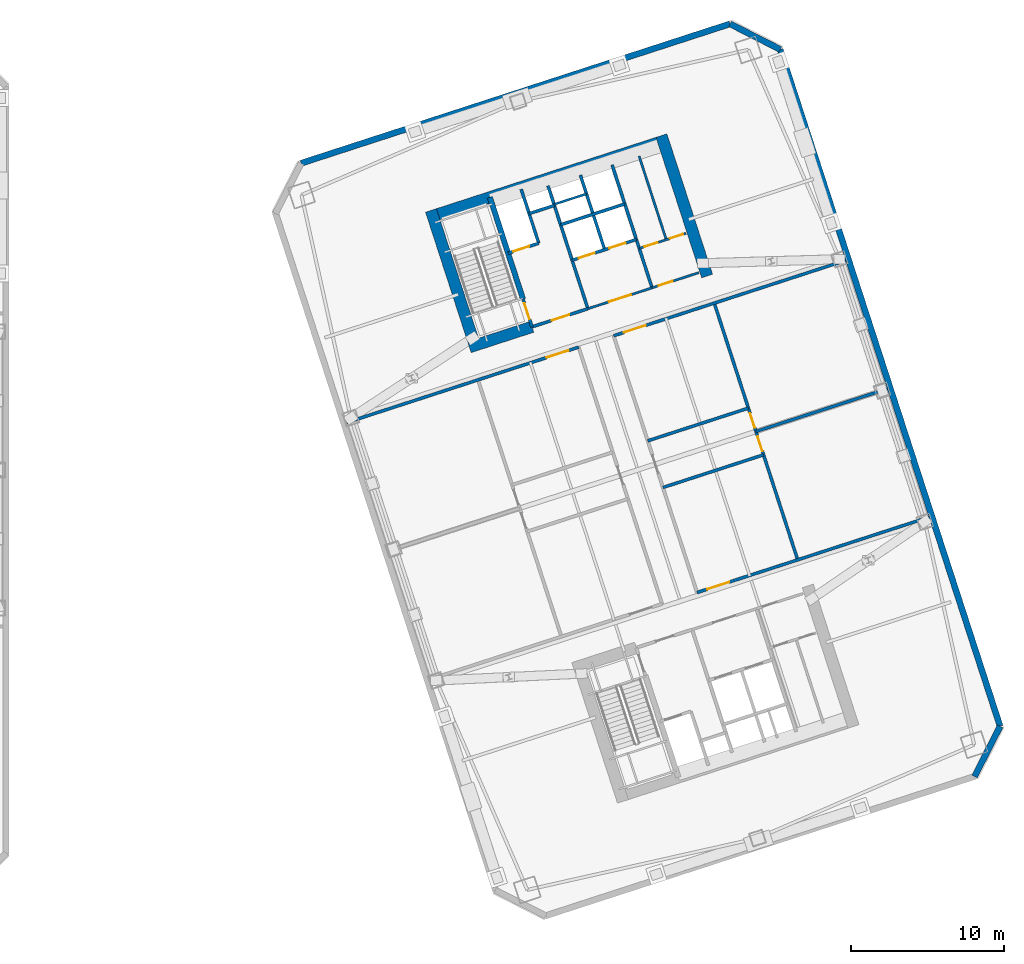
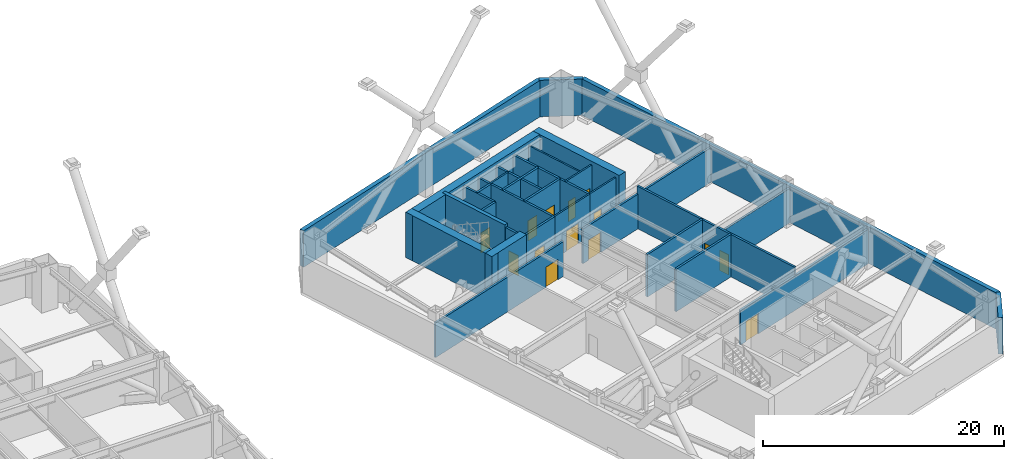
# One storey, part 16 of 19: 31 walls, 14 doors, 14 openings.
"""IFC4 building model written with IfcOpenShell, lengths in metres."""

from ifc_helpers import new_model, si_unit, direction, frame, frame_2d, origin, place, context, subcontext, project, spatial, rectangle, extrude, material, layer, layer_set, type_object, element, fill, save


model = new_model("IFC4")

# Units and contexts
model_context = context("Model", 3, precision=1e-05, world=origin(), true_north=direction((0.0, 1.0)))
body_context = subcontext(model_context, "Body", "Model", "MODEL_VIEW")
ifc_project = project(units=[si_unit("LENGTHUNIT", "METRE"), si_unit("AREAUNIT", "SQUARE_METRE"), si_unit("VOLUMEUNIT", "CUBIC_METRE"), si_unit("PLANEANGLEUNIT", "RADIAN"), si_unit("MASSUNIT", "GRAM", prefix="KILO")], contexts=[model_context])

# Site, building, storey
site_placement = place(None, origin())
site = spatial("IfcSite", under=ifc_project, at=site_placement, CompositionType="ELEMENT")
building_placement = place(site_placement, origin())
building = spatial("IfcBuilding", under=site, at=building_placement, Name="Qiaolan Cultural Towers", CompositionType="ELEMENT")
storey_placement = place(building_placement, frame((0.0, 0.0, 92.0)))
storey = spatial("IfcBuildingStorey", under=building, at=storey_placement, Name="L23", CompositionType="ELEMENT", Elevation=92.0)

# Walls
ifc_material_1 = material(Name="Concrete C50", Category="concrete")
ifc_layer_1 = layer(ifc_material_1, 0.35009765625)
ifc_layer_set_1 = layer_set([ifc_layer_1], Name="Concrete C50")
wall_type_1 = type_object("IfcWallType", Name="WL-CORE-350", PredefinedType="SHEAR", material=ifc_layer_set_1)
wall_1_placement = place(storey_placement, frame((82.513671875, 45.13134765625, 0.0), z_axis=(0.0, 0.0, 1.0), x_axis=(-0.308988790936, 0.951065679686, 0.0)))
element("IfcWall", 1, at=wall_1_placement, inside=storey, type_object=wall_type_1, Name="L23 T2-CN Stair Core Dividing Web", PredefinedType="SHEAR", context=body_context, shape_type="SweptSolid", body=[
    extrude(rectangle(XDim=6.97998046875, YDim=0.35009765625, at=frame_2d((3.489990234375, 0.0))), origin(), (0.0, 0.0, 1.0), 4.60009765625),
])
ifc_material_2 = material(Name="Concrete C60", Category="concrete")
ifc_layer_2 = layer(ifc_material_2, 0.75)
ifc_layer_set_2 = layer_set([ifc_layer_2], Name="Concrete C60")
wall_type_2 = type_object("IfcWallType", Name="WL-CORE-750", PredefinedType="SHEAR", material=ifc_layer_set_2)
wall_2_placement = place(storey_placement, frame((76.27197265625, 50.442626953125, 0.0), z_axis=(0.0, 0.0, 1.0), x_axis=(0.951056072937, 0.309018358888, 0.0)))
element("IfcWall", 2, at=wall_2_placement, inside=storey, type_object=wall_type_2, Name="L23 T2-CN Outer Core Shear Wall", PredefinedType="SHEAR", context=body_context, shape_type="SweptSolid", body=[
    extrude(rectangle(XDim=16.550048828125, YDim=0.75, at=frame_2d((8.27490234375, 0.0))), origin(), (0.0, 0.0, 1.0), 4.60009765625),
])
for number, where, z_axis, x_axis, name in (
    (3, (79.48876953125, 41.75634765625, 0.0), (0.0, 0.0, 1.0), (-0.309016134813, 0.951056795583, 0.0), "L23 T2-CN West Core Shear Wall"),
    (4, (94.515380859375, 46.638916015625, 0.0), (0.0, 0.0, 1.0), (-0.309016134813, 0.951056795583, 0.0), "L23 T2-CN East Core Shear Wall"),
):
    element("IfcWall", number, at=place(storey_placement, frame(where, z_axis=z_axis, x_axis=x_axis)), inside=storey, type_object=wall_type_2, Name=name, PredefinedType="SHEAR", context=body_context, shape_type="SweptSolid", body=[
        extrude(rectangle(XDim=9.630126953125, YDim=0.75, at=frame_2d((4.81494140625, 0.0))), origin(), (0.0, 0.0, 1.0), 4.60009765625),
    ])
wall_3_placement = place(storey_placement, frame((79.01611328125, 41.997314453125, 0.0), z_axis=(0.0, 0.0, 1.0), x_axis=(0.95106038264, 0.309005094736, 0.0)))
element("IfcWall", 5, at=wall_3_placement, inside=storey, type_object=wall_type_2, Name="L23 T2-CN Stair Front Shear Wall", PredefinedType="SHEAR", context=body_context, shape_type="SweptSolid", body=[
    extrude(rectangle(XDim=4.294921875, YDim=0.75, at=frame_2d((2.1474609375, 0.0))), origin(), (0.0, 0.0, 1.0), 4.60009765625),
])
ifc_material_3 = material(Name="Precast Concrete C50 Honed Stone Pier", Category="masonry")
ifc_layer_3 = layer(ifc_material_3, 0.39990234375)
ifc_layer_set_3 = layer_set([ifc_layer_3], Name="Precast Concrete C50 Honed Stone Pier")
wall_type_3 = type_object("IfcWallType", Name="WL-EXT-PIER-400", PredefinedType="SOLIDWALL", material=ifc_layer_set_3)
wall_4_placement = place(storey_placement, frame((68.046875, 53.99462890625, 0.0), z_axis=(0.0, 0.0, 1.0), x_axis=(0.95105505922, 0.309021478754, 0.0)))
element("IfcWall", 6, at=wall_4_placement, inside=storey, type_object=wall_type_3, Name="L23 East Tower Precast Pier Facade Wall F3", PredefinedType="SOLIDWALL", context=body_context, shape_type="SweptSolid", body=[
    extrude(rectangle(XDim=29.39990234375, YDim=0.39990234375, at=frame_2d((14.699951171875, 0.0))), origin(), (0.0, 0.0, 1.0), 3.699951171875),
])
wall_5_placement = place(storey_placement, frame((96.0078125, 63.079833984375, 0.0), z_axis=(0.0, 0.0, 1.0), x_axis=(0.891001999643, -0.45399937955, 0.0)))
element("IfcWall", 7, at=wall_5_placement, inside=storey, type_object=wall_type_3, Name="L23 East Tower Precast Pier Facade Wall F4", PredefinedType="SOLIDWALL", context=body_context, shape_type="SweptSolid", body=[
    extrude(rectangle(XDim=3.67724609375, YDim=0.39990234375, at=frame_2d((1.838623046875, 0.0))), origin(), (0.0, 0.0, 1.0), 3.699951171875),
])
wall_6_placement = place(storey_placement, frame((99.2841796875, 61.410400390625, 0.0), z_axis=(0.0, 0.0, 1.0), x_axis=(0.309017542002, -0.95105633836, 0.0)))
element("IfcWall", 8, at=wall_6_placement, inside=storey, type_object=wall_type_3, Name="L23 East Tower Precast Pier Facade Wall F5", PredefinedType="SOLIDWALL", context=body_context, shape_type="SweptSolid", body=[
    extrude(rectangle(XDim=46.39990234375, YDim=0.39990234375, at=frame_2d((23.199951171875, 0.0))), origin(), (0.0, 0.0, 1.0), 3.699951171875),
])
wall_7_placement = place(storey_placement, frame((113.62255859375, 17.281494140625, 0.0), z_axis=(0.0, 0.0, 1.0), x_axis=(-0.454026238093, -0.890988313685, 0.0)))
element("IfcWall", 9, at=wall_7_placement, inside=storey, type_object=wall_type_3, Name="L23 East Tower Precast Pier Facade Wall F6", PredefinedType="SOLIDWALL", context=body_context, shape_type="SweptSolid", body=[
    extrude(rectangle(XDim=3.677001953125, YDim=0.39990234375, at=frame_2d((1.83837890625, 0.0))), origin(), (0.0, 0.0, 1.0), 3.699951171875),
])

# Wall, opening, door
ifc_material_4 = material(Name="Concrete C35 Fire Wall", Category="concrete")
ifc_layer_4 = layer(ifc_material_4, 0.199951171875)
ifc_layer_set_4 = layer_set([ifc_layer_4], Name="Concrete C35 Fire Wall")
wall_type_4 = type_object("IfcWallType", Name="WL-FIRE-200", PredefinedType="PARTITIONING", material=ifc_layer_set_4)
wall_8_placement = place(storey_placement, frame((83.100830078125, 43.324462890625, 0.0), z_axis=(0.0, 0.0, 1.0), x_axis=(-0.309048298632, 0.951046344356, 0.0)))
wall_8 = element("IfcWall", 10, at=wall_8_placement, inside=storey, type_object=wall_type_4, Name="L23 T2-CN Smokeproof Stair Entry Wall", PredefinedType="PARTITIONING", context=body_context, shape_type="SweptSolid", body=[
    extrude(rectangle(XDim=1.89990234375, YDim=0.199951171875, at=frame_2d((0.949951171875, 0.0))), origin(), (0.0, 0.0, 1.0), 4.304931640625),
])
opening_1_placement = place(wall_8_placement, frame((0.52001953125, 0.0, 0.0)))
opening_1 = element("IfcOpeningElement", 11, at=opening_1_placement, cuts=wall_8, Name="Opening FD-04", PredefinedType="OPENING", context=body_context, shape_type="SweptSolid", body=[
    extrude(rectangle(XDim=1.10009765625, YDim=2.050048828125, at=frame_2d((0.550048828125, 1.02490234375))), frame((0.0, 0.10986328125, 0.0), z_axis=(0.0, -1.0, 0.0), x_axis=(1.0, 0.0, 0.0)), (0.0, 0.0, 1.0), 0.219970703125),
])
ifc_material_5 = material(Name="Galvanized Steel Command Fire Door", Category="steel")
door_type_1 = type_object("IfcDoorType", Name="DR-FD90-1100", OperationType="NOTDEFINED", PredefinedType="DOOR", material=ifc_material_5)
door_1_placement = place(opening_1_placement, origin())
door_1 = element("IfcDoor", 12, at=door_1_placement, inside=storey, type_object=door_type_1, Name="L23 ST-E2 Smokeproof Stair Fire Door", OperationType="SINGLE_SWING_LEFT", OverallHeight=2.050048828125, OverallWidth=1.10009765625, PredefinedType="DOOR", context=body_context, shape_type="SweptSolid", body=[
    extrude(rectangle(XDim=1.10009765625, YDim=2.050048828125, at=frame_2d((0.550048828125, 1.02490234375))), frame((0.0, 0.02490234375, 0.0), z_axis=(0.0, -1.0, 0.0), x_axis=(1.0, 0.0, 0.0)), (0.0, 0.0, 1.0), 0.050048828125),
])
fill(opening_1, door_1)

# Wall
wall_9_placement = place(storey_placement, frame((86.743408203125, 44.508056640625, 0.0), z_axis=(0.0, 0.0, 1.0), x_axis=(-0.309016001439, 0.951056838919, 0.0)))
element("IfcWall", 13, at=wall_9_placement, inside=storey, type_object=wall_type_4, Name="L23 T2-CN Firefighting Zone Wall", PredefinedType="PARTITIONING", context=body_context, shape_type="SweptSolid", body=[
    extrude(rectangle(XDim=8.429931640625, YDim=0.199951171875, at=frame_2d((4.21484375, 0.0))), origin(), (0.0, 0.0, 1.0), 4.304931640625),
])

# Wall, opening, door
wall_10_placement = place(storey_placement, frame((83.100830078125, 43.324462890625, 0.0), z_axis=(0.0, 0.0, 1.0), x_axis=(0.951052804469, 0.309028417967, 0.0)))
wall_10 = element("IfcWall", 14, at=wall_10_placement, inside=storey, type_object=wall_type_4, Name="L23 T2-CN Firefighting Lobby Front Wall", PredefinedType="PARTITIONING", context=body_context, shape_type="SweptSolid", body=[
    extrude(rectangle(XDim=3.830078125, YDim=0.199951171875, at=frame_2d((1.9150390625, 0.0))), origin(), (0.0, 0.0, 1.0), 4.304931640625),
])
opening_2_placement = place(wall_10_placement, frame((1.35009765625, 0.0, 0.0)))
opening_2 = element("IfcOpeningElement", 15, at=opening_2_placement, cuts=wall_10, Name="Opening FD-03", PredefinedType="OPENING", context=body_context, shape_type="SweptSolid", body=[
    extrude(rectangle(XDim=1.199951171875, YDim=2.050048828125, at=frame_2d((0.60009765625, 1.02490234375))), frame((0.0, 0.10986328125, 0.0), z_axis=(0.0, -1.0, 0.0), x_axis=(1.0, 0.0, 0.0)), (0.0, 0.0, 1.0), 0.219970703125),
])
ifc_material_6 = material(Name="Galvanized Steel Smokeproof Lobby Fire Door", Category="steel")
door_type_2 = type_object("IfcDoorType", Name="DR-FD90-1200", OperationType="NOTDEFINED", PredefinedType="DOOR", material=ifc_material_6)
door_2_placement = place(opening_2_placement, origin())
door_2 = element("IfcDoor", 16, at=door_2_placement, inside=storey, type_object=door_type_2, Name="L23 FFL-E2 Firefighting Lobby Fire Door", OperationType="SINGLE_SWING_LEFT", OverallHeight=2.050048828125, OverallWidth=1.199951171875, PredefinedType="DOOR", context=body_context, shape_type="SweptSolid", body=[
    extrude(rectangle(XDim=1.199951171875, YDim=2.050048828125, at=frame_2d((0.60009765625, 1.02490234375))), frame((0.0, 0.02490234375, 0.0), z_axis=(0.0, -1.0, 0.0), x_axis=(1.0, 0.0, 0.0)), (0.0, 0.0, 1.0), 0.050048828125),
])
fill(opening_2, door_2)

wall_11_placement = place(storey_placement, frame((81.540283203125, 48.127197265625, 0.0), z_axis=(0.0, 0.0, 1.0), x_axis=(0.951062257173, 0.308999325213, 0.0)))
wall_11 = element("IfcWall", 17, at=wall_11_placement, inside=storey, type_object=wall_type_4, Name="L23 T2-CN Firefighting Shaft Front Wall", PredefinedType="PARTITIONING", context=body_context, shape_type="SweptSolid", body=[
    extrude(rectangle(XDim=2.10009765625, YDim=0.199951171875, at=frame_2d((1.050048828125, 0.0))), origin(), (0.0, 0.0, 1.0), 4.304931640625),
])
opening_3_placement = place(wall_11_placement, frame((0.35009765625, 0.0, 0.0)))
opening_3 = element("IfcOpeningElement", 18, at=opening_3_placement, cuts=wall_11, Name="Opening LD-01", PredefinedType="OPENING", context=body_context, shape_type="SweptSolid", body=[
    extrude(rectangle(XDim=1.10009765625, YDim=2.050048828125, at=frame_2d((0.550048828125, 1.02490234375))), frame((0.0, 0.10986328125, 0.0), z_axis=(0.0, -1.0, 0.0), x_axis=(1.0, 0.0, 0.0)), (0.0, 0.0, 1.0), 0.219970703125),
])
ifc_material_7 = material(Name="Brushed Stainless Steel S30408 Centre-Parting Lift Landing Door", Category="steel")
door_type_3 = type_object("IfcDoorType", Name="DR-LIFT-1100", OperationType="NOTDEFINED", PredefinedType="DOOR", material=ifc_material_7)
door_3_placement = place(opening_3_placement, origin())
door_3 = element("IfcDoor", 19, at=door_3_placement, inside=storey, type_object=door_type_3, Name="L23 FFL-E2 Firefighting Lift Landing Door", OperationType="DOUBLE_DOOR_SLIDING", OverallHeight=2.050048828125, OverallWidth=1.10009765625, PredefinedType="DOOR", context=body_context, shape_type="SweptSolid", body=[
    extrude(rectangle(XDim=1.10009765625, YDim=2.050048828125, at=frame_2d((0.550048828125, 1.02490234375))), frame((0.0, 0.02490234375, 0.0), z_axis=(0.0, -1.0, 0.0), x_axis=(1.0, 0.0, 0.0)), (0.0, 0.0, 1.0), 0.050048828125),
])
fill(opening_3, door_3)

# Walls
wall_12_placement = place(storey_placement, frame((83.53759765625, 48.776123046875, 0.0), z_axis=(0.0, 0.0, 1.0), x_axis=(-0.3089935693, 0.951064127245, 0.0)))
element("IfcWall", 20, at=wall_12_placement, inside=storey, type_object=wall_type_4, Name="L23 T2-CN Firefighting Hoistway East Wall", PredefinedType="PARTITIONING", context=body_context, shape_type="SweptSolid", body=[
    extrude(rectangle(XDim=3.7001953125, YDim=0.199951171875, at=frame_2d((1.85009765625, 0.0))), origin(), (0.0, 0.0, 1.0), 4.304931640625),
])
wall_13_placement = place(storey_placement, frame((82.910400390625, 50.706787109375, 0.0), z_axis=(0.0, 0.0, 1.0), x_axis=(0.951041328149, 0.309063734775, 0.0)))
element("IfcWall", 21, at=wall_13_placement, inside=storey, type_object=wall_type_4, Name="L23 T2-CN Pressurization Shaft Front Wall", PredefinedType="PARTITIONING", context=body_context, shape_type="SweptSolid", body=[
    extrude(rectangle(XDim=1.72998046875, YDim=0.199951171875, at=frame_2d((0.864990234375, 0.0))), origin(), (0.0, 0.0, 1.0), 4.304931640625),
])
wall_14_placement = place(storey_placement, frame((90.92822265625, 45.86767578125, 0.0), z_axis=(0.0, 0.0, 1.0), x_axis=(-0.309042196757, 0.951048327176, 0.0)))
element("IfcWall", 22, at=wall_14_placement, inside=storey, type_object=wall_type_4, Name="L23 T2-CN Lift Core East Wall", PredefinedType="PARTITIONING", context=body_context, shape_type="SweptSolid", body=[
    extrude(rectangle(XDim=8.429931640625, YDim=0.199951171875, at=frame_2d((4.21484375, 0.0))), origin(), (0.0, 0.0, 1.0), 4.304931640625),
])

# Wall, openings, doors
wall_15_placement = place(storey_placement, frame((85.717529296875, 47.66552734375, 0.0), z_axis=(0.0, 0.0, 1.0), x_axis=(0.951058531764, 0.30901079133, 0.0)))
wall_15 = element("IfcWall", 23, at=wall_15_placement, inside=storey, type_object=wall_type_4, Name="L23 T2-CN Passenger Lift Shaft Front Wall", PredefinedType="PARTITIONING", context=body_context, shape_type="SweptSolid", body=[
    extrude(rectangle(XDim=4.39990234375, YDim=0.199951171875, at=frame_2d((2.199951171875, 0.0))), origin(), (0.0, 0.0, 1.0), 4.304931640625),
])
opening_4_placement = place(wall_15_placement, frame((0.449951171875, 0.0, 0.0)))
opening_4 = element("IfcOpeningElement", 24, at=opening_4_placement, cuts=wall_15, Name="Opening LD-01", PredefinedType="OPENING", context=body_context, shape_type="SweptSolid", body=[
    extrude(rectangle(XDim=1.10009765625, YDim=2.050048828125, at=frame_2d((0.550048828125, 1.02490234375))), frame((0.0, 0.10986328125, 0.0), z_axis=(0.0, -1.0, 0.0), x_axis=(1.0, 0.0, 0.0)), (0.0, 0.0, 1.0), 0.219970703125),
])
opening_5_placement = place(wall_15_placement, frame((2.550048828125, 0.0, 0.0)))
opening_5 = element("IfcOpeningElement", 25, at=opening_5_placement, cuts=wall_15, Name="Opening LD-01", PredefinedType="OPENING", context=body_context, shape_type="SweptSolid", body=[
    extrude(rectangle(XDim=1.10009765625, YDim=2.050048828125, at=frame_2d((0.550048828125, 1.02490234375))), frame((0.0, 0.10986328125, 0.0), z_axis=(0.0, -1.0, 0.0), x_axis=(1.0, 0.0, 0.0)), (0.0, 0.0, 1.0), 0.219970703125),
])
door_4_placement = place(opening_4_placement, origin())
door_4 = element("IfcDoor", 26, at=door_4_placement, inside=storey, type_object=door_type_3, Name="L23 Passenger Lift 1 Landing Door", OperationType="DOUBLE_DOOR_SLIDING", OverallHeight=2.050048828125, OverallWidth=1.10009765625, PredefinedType="DOOR", context=body_context, shape_type="SweptSolid", body=[
    extrude(rectangle(XDim=1.10009765625, YDim=2.050048828125, at=frame_2d((0.550048828125, 1.02490234375))), frame((0.0, 0.02490234375, 0.0), z_axis=(0.0, -1.0, 0.0), x_axis=(1.0, 0.0, 0.0)), (0.0, 0.0, 1.0), 0.050048828125),
])
fill(opening_4, door_4)
door_5_placement = place(opening_5_placement, origin())
door_5 = element("IfcDoor", 27, at=door_5_placement, inside=storey, type_object=door_type_3, Name="L23 Passenger Lift 2 Landing Door", OperationType="DOUBLE_DOOR_SLIDING", OverallHeight=2.050048828125, OverallWidth=1.10009765625, PredefinedType="DOOR", context=body_context, shape_type="SweptSolid", body=[
    extrude(rectangle(XDim=1.10009765625, YDim=2.050048828125, at=frame_2d((0.550048828125, 1.02490234375))), frame((0.0, 0.02490234375, 0.0), z_axis=(0.0, -1.0, 0.0), x_axis=(1.0, 0.0, 0.0)), (0.0, 0.0, 1.0), 0.050048828125),
])
fill(opening_5, door_5)

# Walls
wall_16_placement = place(storey_placement, frame((87.83837890625, 48.3544921875, 0.0), z_axis=(0.0, 0.0, 1.0), x_axis=(-0.3090093719, 0.951058992953, 0.0)))
element("IfcWall", 28, at=wall_16_placement, inside=storey, type_object=wall_type_4, Name="L23 T2-CN Lift Shaft Divider Wall", PredefinedType="PARTITIONING", context=body_context, shape_type="SweptSolid", body=[
    extrude(rectangle(XDim=5.110107421875, YDim=0.199951171875, at=frame_2d((2.55517578125, 0.0))), origin(), (0.0, 0.0, 1.0), 4.304931640625),
])
wall_17_placement = place(storey_placement, frame((84.966552734375, 49.9765625, 0.0), z_axis=(0.0, 0.0, 1.0), x_axis=(0.951063829732, 0.308994485023, 0.0)))
element("IfcWall", 29, at=wall_17_placement, inside=storey, type_object=wall_type_4, Name="L23 T2-CN Passenger Lift Shaft Back Wall", PredefinedType="PARTITIONING", context=body_context, shape_type="SweptSolid", body=[
    extrude(rectangle(XDim=4.400146484375, YDim=0.199951171875, at=frame_2d((2.2001953125, 0.0))), origin(), (0.0, 0.0, 1.0), 4.304931640625),
])

# Wall, opening, door
wall_18_placement = place(storey_placement, frame((93.860595703125, 26.00146484375, 0.0), z_axis=(0.0, 0.0, 1.0), x_axis=(0.951057423626, 0.309014201884, 0.0)))
wall_18 = element("IfcWall", 30, at=wall_18_placement, inside=storey, type_object=wall_type_4, Name="L23 T2 Fire Rated Plant/Refuge Wall SBE", PredefinedType="PARTITIONING", context=body_context, shape_type="SweptSolid", body=[
    extrude(rectangle(XDim=15.89990234375, YDim=0.199951171875, at=frame_2d((7.949951171875, 0.0))), origin(), (0.0, 0.0, 1.0), 3.514892578125),
])
opening_6_placement = place(wall_18_placement, frame((0.699951171875, 0.0, 0.0)))
opening_6 = element("IfcOpeningElement", 31, at=opening_6_placement, cuts=wall_18, Name="Opening FD-02", PredefinedType="OPENING", context=body_context, shape_type="SweptSolid", body=[
    extrude(rectangle(XDim=1.5, YDim=2.050048828125, at=frame_2d((0.75, 1.02490234375))), frame((0.0, 0.10986328125, 0.0), z_axis=(0.0, -1.0, 0.0), x_axis=(1.0, 0.0, 0.0)), (0.0, 0.0, 1.0), 0.219970703125),
])
ifc_material_8 = material(Name="Galvanized Steel Double Fire Door", Category="steel")
door_type_4 = type_object("IfcDoorType", Name="DR-FD90-1500", OperationType="NOTDEFINED", PredefinedType="DOOR", material=ifc_material_8)
door_6_placement = place(opening_6_placement, origin())
door_6 = element("IfcDoor", 32, at=door_6_placement, inside=storey, type_object=door_type_4, Name="L23 T2 East South Refuge Fire Door", OperationType="SINGLE_SWING_RIGHT", OverallHeight=2.050048828125, OverallWidth=1.5, PredefinedType="DOOR", context=body_context, shape_type="SweptSolid", body=[
    extrude(rectangle(XDim=1.5, YDim=2.050048828125, at=frame_2d((0.75, 1.02490234375))), frame((0.0, 0.02490234375, 0.0), z_axis=(0.0, -1.0, 0.0), x_axis=(1.0, 0.0, 0.0)), (0.0, 0.0, 1.0), 0.050048828125),
])
fill(opening_6, door_6)

wall_19_placement = place(storey_placement, frame((71.017578125, 37.085205078125, 0.0), z_axis=(0.0, 0.0, 1.0), x_axis=(0.951057423626, 0.309014201884, 0.0)))
wall_19 = element("IfcWall", 33, at=wall_19_placement, inside=storey, type_object=wall_type_4, Name="L23 T2 Fire Rated Plant/Refuge Wall NBW", PredefinedType="PARTITIONING", context=body_context, shape_type="SweptSolid", body=[
    extrude(rectangle(XDim=15.89990234375, YDim=0.199951171875, at=frame_2d((7.949951171875, 0.0))), origin(), (0.0, 0.0, 1.0), 3.514892578125),
])
opening_7_placement = place(wall_19_placement, frame((13.699951171875, 0.0, 0.0)))
opening_7 = element("IfcOpeningElement", 34, at=opening_7_placement, cuts=wall_19, Name="Opening FD-02", PredefinedType="OPENING", context=body_context, shape_type="SweptSolid", body=[
    extrude(rectangle(XDim=1.5, YDim=2.050048828125, at=frame_2d((0.75, 1.02490234375))), frame((0.0, 0.10986328125, 0.0), z_axis=(0.0, -1.0, 0.0), x_axis=(1.0, 0.0, 0.0)), (0.0, 0.0, 1.0), 0.219970703125),
])
door_7_placement = place(opening_7_placement, origin())
door_7 = element("IfcDoor", 35, at=door_7_placement, inside=storey, type_object=door_type_4, Name="L23 T2 West North Refuge Fire Door", OperationType="SINGLE_SWING_LEFT", OverallHeight=2.050048828125, OverallWidth=1.5, PredefinedType="DOOR", context=body_context, shape_type="SweptSolid", body=[
    extrude(rectangle(XDim=1.5, YDim=2.050048828125, at=frame_2d((0.75, 1.02490234375))), frame((0.0, 0.02490234375, 0.0), z_axis=(0.0, -1.0, 0.0), x_axis=(1.0, 0.0, 0.0)), (0.0, 0.0, 1.0), 0.050048828125),
])
fill(opening_7, door_7)

wall_20_placement = place(storey_placement, frame((88.421875, 42.740234375, 0.0), z_axis=(0.0, 0.0, 1.0), x_axis=(0.951057423626, 0.309014201884, 0.0)))
wall_20 = element("IfcWall", 36, at=wall_20_placement, inside=storey, type_object=wall_type_4, Name="L23 T2 Fire Rated Plant/Refuge Wall NBE", PredefinedType="PARTITIONING", context=body_context, shape_type="SweptSolid", body=[
    extrude(rectangle(XDim=15.89990234375, YDim=0.199951171875, at=frame_2d((7.949951171875, 0.0))), origin(), (0.0, 0.0, 1.0), 3.514892578125),
])
opening_8_placement = place(wall_20_placement, frame((0.699951171875, 0.0, 0.0)))
opening_8 = element("IfcOpeningElement", 37, at=opening_8_placement, cuts=wall_20, Name="Opening FD-02", PredefinedType="OPENING", context=body_context, shape_type="SweptSolid", body=[
    extrude(rectangle(XDim=1.5, YDim=2.050048828125, at=frame_2d((0.75, 1.02490234375))), frame((0.0, 0.10986328125, 0.0), z_axis=(0.0, -1.0, 0.0), x_axis=(1.0, 0.0, 0.0)), (0.0, 0.0, 1.0), 0.219970703125),
])
door_8_placement = place(opening_8_placement, origin())
door_8 = element("IfcDoor", 38, at=door_8_placement, inside=storey, type_object=door_type_4, Name="L23 T2 East North Refuge Fire Door", OperationType="SINGLE_SWING_RIGHT", OverallHeight=2.050048828125, OverallWidth=1.5, PredefinedType="DOOR", context=body_context, shape_type="SweptSolid", body=[
    extrude(rectangle(XDim=1.5, YDim=2.050048828125, at=frame_2d((0.75, 1.02490234375))), frame((0.0, 0.02490234375, 0.0), z_axis=(0.0, -1.0, 0.0), x_axis=(1.0, 0.0, 0.0)), (0.0, 0.0, 1.0), 0.050048828125),
])
fill(opening_8, door_8)

# Wall, openings, doors
wall_21_placement = place(storey_placement, frame((100.4228515625, 28.1337890625, 0.0), z_axis=(0.0, 0.0, 1.0), x_axis=(-0.309019261708, 0.951055779591, 0.0)))
wall_21 = element("IfcWall", 39, at=wall_21_placement, inside=storey, type_object=wall_type_4, Name="L23 T2 Fire Rated Plant/Refuge Wall ER", PredefinedType="PARTITIONING", context=body_context, shape_type="SweptSolid", body=[
    extrude(rectangle(XDim=17.599853515625, YDim=0.199951171875, at=frame_2d((8.7998046875, 0.0))), origin(), (0.0, 0.0, 1.0), 4.304931640625),
])
opening_9_placement = place(wall_21_placement, frame((7.449951171875, 0.0, 0.0)))
opening_9 = element("IfcOpeningElement", 40, at=opening_9_placement, cuts=wall_21, Name="Opening FD-07", PredefinedType="OPENING", context=body_context, shape_type="SweptSolid", body=[
    extrude(rectangle(XDim=1.0, YDim=2.050048828125, at=frame_2d((0.5, 1.02490234375))), frame((0.0, 0.10986328125, 0.0), z_axis=(0.0, -1.0, 0.0), x_axis=(1.0, 0.0, 0.0)), (0.0, 0.0, 1.0), 0.219970703125),
])
opening_10_placement = place(wall_21_placement, frame((9.050048828125, 0.0, 0.0)))
opening_10 = element("IfcOpeningElement", 41, at=opening_10_placement, cuts=wall_21, Name="Opening FD-07", PredefinedType="OPENING", context=body_context, shape_type="SweptSolid", body=[
    extrude(rectangle(XDim=1.0, YDim=2.050048828125, at=frame_2d((0.5, 1.02490234375))), frame((0.0, 0.10986328125, 0.0), z_axis=(0.0, -1.0, 0.0), x_axis=(1.0, 0.0, 0.0)), (0.0, 0.0, 1.0), 0.219970703125),
])
ifc_material_9 = material(Name="Painted Steel Riser Fire Door", Category="steel")
door_type_5 = type_object("IfcDoorType", Name="DR-FD60-1000", OperationType="NOTDEFINED", PredefinedType="DOOR", material=ifc_material_9)
door_9_placement = place(opening_9_placement, origin())
door_9 = element("IfcDoor", 42, at=door_9_placement, inside=storey, type_object=door_type_5, Name="L23 T2 East AHU Plant Door", OperationType="SINGLE_SWING_LEFT", OverallHeight=2.050048828125, OverallWidth=1.0, PredefinedType="DOOR", context=body_context, shape_type="SweptSolid", body=[
    extrude(rectangle(XDim=1.0, YDim=2.050048828125, at=frame_2d((0.5, 1.02490234375))), frame((0.0, 0.02490234375, 0.0), z_axis=(0.0, -1.0, 0.0), x_axis=(1.0, 0.0, 0.0)), (0.0, 0.0, 1.0), 0.050048828125),
])
fill(opening_9, door_9)
door_10_placement = place(opening_10_placement, origin())
door_10 = element("IfcDoor", 43, at=door_10_placement, inside=storey, type_object=door_type_5, Name="L23 T2 East Electrical Substation Door", OperationType="SINGLE_SWING_RIGHT", OverallHeight=2.050048828125, OverallWidth=1.0, PredefinedType="DOOR", context=body_context, shape_type="SweptSolid", body=[
    extrude(rectangle(XDim=1.0, YDim=2.050048828125, at=frame_2d((0.5, 1.02490234375))), frame((0.0, 0.02490234375, 0.0), z_axis=(0.0, -1.0, 0.0), x_axis=(1.0, 0.0, 0.0)), (0.0, 0.0, 1.0), 0.050048828125),
])
fill(opening_10, door_10)

# Walls
wall_22_placement = place(storey_placement, frame((97.70361328125, 36.5029296875, 0.0), z_axis=(0.0, 0.0, 1.0), x_axis=(0.951054001411, 0.309024734286, 0.0)))
element("IfcWall", 44, at=wall_22_placement, inside=storey, type_object=wall_type_4, Name="L23 T2 Fire Rated Plant/Refuge Wall EMID", PredefinedType="PARTITIONING", context=body_context, shape_type="SweptSolid", body=[
    extrude(rectangle(XDim=9.0, YDim=0.199951171875, at=frame_2d((4.5, 0.0))), origin(), (0.0, 0.0, 1.0), 3.514892578125),
])
wall_23_placement = place(storey_placement, frame((91.6357421875, 32.84912109375, 0.0), z_axis=(0.0, 0.0, 1.0), x_axis=(0.951051488548, 0.309032467762, 0.0)))
element("IfcWall", 45, at=wall_23_placement, inside=storey, type_object=wall_type_4, Name="L23 T2 Fire Rated Plant/Refuge Wall SVS-WR", PredefinedType="PARTITIONING", context=body_context, shape_type="SweptSolid", body=[
    extrude(rectangle(XDim=6.89990234375, YDim=0.199951171875, at=frame_2d((3.449951171875, 0.0))), origin(), (0.0, 0.0, 1.0), 4.304931640625),
])
wall_24_placement = place(storey_placement, frame((90.646728515625, 35.892578125, 0.0), z_axis=(0.0, 0.0, 1.0), x_axis=(0.951065265554, 0.308990065628, 0.0)))
element("IfcWall", 46, at=wall_24_placement, inside=storey, type_object=wall_type_4, Name="L23 T2 Fire Rated Plant/Refuge Wall SVS-NR", PredefinedType="PARTITIONING", context=body_context, shape_type="SweptSolid", body=[
    extrude(rectangle(XDim=6.900146484375, YDim=0.199951171875, at=frame_2d((3.4501953125, 0.0))), origin(), (0.0, 0.0, 1.0), 4.304931640625),
])

# Wall, opening, door
ifc_material_10 = material(Name="Autoclaved Aerated Concrete Block B06", Category="concrete")
ifc_layer_5 = layer(ifc_material_10, 0.14990234375)
ifc_layer_set_5 = layer_set([ifc_layer_5], Name="Autoclaved Aerated Concrete Block B06")
wall_type_5 = type_object("IfcWallType", Name="WL-PART-150", PredefinedType="PARTITIONING", material=ifc_layer_set_5)
wall_25_placement = place(storey_placement, frame((86.743408203125, 44.508056640625, 0.0), z_axis=(0.0, 0.0, 1.0), x_axis=(0.951063829732, 0.308994485023, 0.0)))
wall_25 = element("IfcWall", 47, at=wall_25_placement, inside=storey, type_object=wall_type_5, Name="L23 T2-CN Passenger Lift Lobby Front Wall", PredefinedType="PARTITIONING", context=body_context, shape_type="SweptSolid", body=[
    extrude(rectangle(XDim=4.400146484375, YDim=0.14990234375, at=frame_2d((2.2001953125, 0.0))), origin(), (0.0, 0.0, 1.0), 4.304931640625),
])
opening_11_placement = place(wall_25_placement, frame((1.449951171875, 0.0, 0.0)))
opening_11 = element("IfcOpeningElement", 48, at=opening_11_placement, cuts=wall_25, Name="Opening FD-05", PredefinedType="OPENING", context=body_context, shape_type="SweptSolid", body=[
    extrude(rectangle(XDim=1.5, YDim=2.050048828125, at=frame_2d((0.75, 1.02490234375))), frame((0.0, 0.0849609375, 0.0), z_axis=(0.0, -1.0, 0.0), x_axis=(1.0, 0.0, 0.0)), (0.0, 0.0, 1.0), 0.169921875),
])
ifc_material_11 = material(Name="Painted Steel Lift Lobby Fire Door", Category="steel")
door_type_6 = type_object("IfcDoorType", Name="DR-FD60-1500", OperationType="NOTDEFINED", PredefinedType="DOOR", material=ifc_material_11)
door_11_placement = place(opening_11_placement, origin())
door_11 = element("IfcDoor", 49, at=door_11_placement, inside=storey, type_object=door_type_6, Name="L23 Passenger Lift Lobby Entrance", OperationType="SINGLE_SWING_LEFT", OverallHeight=2.050048828125, OverallWidth=1.5, PredefinedType="DOOR", context=body_context, shape_type="SweptSolid", body=[
    extrude(rectangle(XDim=1.5, YDim=2.050048828125, at=frame_2d((0.75, 1.02490234375))), frame((0.0, 0.02490234375, 0.0), z_axis=(0.0, -1.0, 0.0), x_axis=(1.0, 0.0, 0.0)), (0.0, 0.0, 1.0), 0.050048828125),
])
fill(opening_11, door_11)

# Wall
wall_26_placement = place(storey_placement, frame((84.533935546875, 51.30810546875, 0.0), z_axis=(0.0, 0.0, 1.0), x_axis=(0.951075093106, 0.308959814982, 0.0)))
element("IfcWall", 50, at=wall_26_placement, inside=storey, type_object=wall_type_5, Name="L23 T2-CN Core Rear Riser Split", PredefinedType="PARTITIONING", context=body_context, shape_type="SweptSolid", body=[
    extrude(rectangle(XDim=2.22998046875, YDim=0.14990234375, at=frame_2d((1.114990234375, 0.0))), origin(), (0.0, 0.0, 1.0), 4.304931640625),
])

# Wall, opening, door
wall_27_placement = place(storey_placement, frame((90.92822265625, 45.86767578125, 0.0), z_axis=(0.0, 0.0, 1.0), x_axis=(0.951059297078, 0.309008435874, 0.0)))
wall_27 = element("IfcWall", 51, at=wall_27_placement, inside=storey, type_object=wall_type_5, Name="L23 T2-CN Sanitary Core Front Wall", PredefinedType="PARTITIONING", context=body_context, shape_type="SweptSolid", body=[
    extrude(rectangle(XDim=3.19970703125, YDim=0.14990234375, at=frame_2d((1.599853515625, 0.0))), origin(), (0.0, 0.0, 1.0), 4.304931640625),
])
opening_12_placement = place(wall_27_placement, frame((0.449951171875, 0.0, 0.0)))
opening_12 = element("IfcOpeningElement", 52, at=opening_12_placement, cuts=wall_27, Name="Opening ID-05", PredefinedType="OPENING", context=body_context, shape_type="SweptSolid", body=[
    extrude(rectangle(XDim=0.949951171875, YDim=2.050048828125, at=frame_2d((0.47509765625, 1.02490234375))), frame((0.0, 0.0849609375, 0.0), z_axis=(0.0, -1.0, 0.0), x_axis=(1.0, 0.0, 0.0)), (0.0, 0.0, 1.0), 0.169921875),
])
ifc_material_12 = material(Name="Fire-Rated Laminate Accessible Core Door", Category="timber")
door_type_7 = type_object("IfcDoorType", Name="DR-INT-950", OperationType="NOTDEFINED", PredefinedType="DOOR", material=ifc_material_12)
door_12_placement = place(opening_12_placement, origin())
door_12 = element("IfcDoor", 53, at=door_12_placement, inside=storey, type_object=door_type_7, Name="L23 Sanitary Vestibule Door", OperationType="SINGLE_SWING_LEFT", OverallHeight=2.050048828125, OverallWidth=0.949951171875, PredefinedType="DOOR", context=body_context, shape_type="SweptSolid", body=[
    extrude(rectangle(XDim=0.949951171875, YDim=2.050048828125, at=frame_2d((0.47509765625, 1.02490234375))), frame((0.0, 0.02490234375, 0.0), z_axis=(0.0, -1.0, 0.0), x_axis=(1.0, 0.0, 0.0)), (0.0, 0.0, 1.0), 0.050048828125),
])
fill(opening_12, door_12)

# Wall, openings, doors
wall_28_placement = place(storey_placement, frame((90.09375, 48.435546875, 0.0), z_axis=(0.0, 0.0, 1.0), x_axis=(0.951066581729, 0.308986014439, 0.0)))
wall_28 = element("IfcWall", 54, at=wall_28_placement, inside=storey, type_object=wall_type_5, Name="L23 T2-CN Restroom Vestibule Wall", PredefinedType="PARTITIONING", context=body_context, shape_type="SweptSolid", body=[
    extrude(rectangle(XDim=3.199951171875, YDim=0.14990234375, at=frame_2d((1.60009765625, 0.0))), origin(), (0.0, 0.0, 1.0), 4.304931640625),
])
opening_13_placement = place(wall_28_placement, frame((0.35009765625, 0.0, 0.0)))
opening_13 = element("IfcOpeningElement", 55, at=opening_13_placement, cuts=wall_28, Name="Opening ID-06", PredefinedType="OPENING", context=body_context, shape_type="SweptSolid", body=[
    extrude(rectangle(XDim=0.89990234375, YDim=2.050048828125, at=frame_2d((0.449951171875, 1.02490234375))), frame((0.0, 0.0849609375, 0.0), z_axis=(0.0, -1.0, 0.0), x_axis=(1.0, 0.0, 0.0)), (0.0, 0.0, 1.0), 0.169921875),
])
opening_14_placement = place(wall_28_placement, frame((2.10009765625, 0.0, 0.0)))
opening_14 = element("IfcOpeningElement", 56, at=opening_14_placement, cuts=wall_28, Name="Opening ID-06", PredefinedType="OPENING", context=body_context, shape_type="SweptSolid", body=[
    extrude(rectangle(XDim=0.89990234375, YDim=2.050048828125, at=frame_2d((0.449951171875, 1.02490234375))), frame((0.0, 0.0849609375, 0.0), z_axis=(0.0, -1.0, 0.0), x_axis=(1.0, 0.0, 0.0)), (0.0, 0.0, 1.0), 0.169921875),
])
ifc_material_13 = material(Name="Fire-Rated Laminate Core Service Door", Category="timber")
door_type_8 = type_object("IfcDoorType", Name="DR-INT-900", OperationType="NOTDEFINED", PredefinedType="DOOR", material=ifc_material_13)
door_13_placement = place(opening_13_placement, origin())
door_13 = element("IfcDoor", 57, at=door_13_placement, inside=storey, type_object=door_type_8, Name="L23 Men Restroom Door", OperationType="SINGLE_SWING_LEFT", OverallHeight=2.050048828125, OverallWidth=0.89990234375, PredefinedType="DOOR", context=body_context, shape_type="SweptSolid", body=[
    extrude(rectangle(XDim=0.89990234375, YDim=2.050048828125, at=frame_2d((0.449951171875, 1.02490234375))), frame((0.0, 0.02490234375, 0.0), z_axis=(0.0, -1.0, 0.0), x_axis=(1.0, 0.0, 0.0)), (0.0, 0.0, 1.0), 0.050048828125),
])
fill(opening_13, door_13)
door_14_placement = place(opening_14_placement, origin())
door_14 = element("IfcDoor", 58, at=door_14_placement, inside=storey, type_object=door_type_8, Name="L23 Accessible & Women Restroom Door", OperationType="SINGLE_SWING_RIGHT", OverallHeight=2.050048828125, OverallWidth=0.89990234375, PredefinedType="DOOR", context=body_context, shape_type="SweptSolid", body=[
    extrude(rectangle(XDim=0.89990234375, YDim=2.050048828125, at=frame_2d((0.449951171875, 1.02490234375))), frame((0.0, 0.02490234375, 0.0), z_axis=(0.0, -1.0, 0.0), x_axis=(1.0, 0.0, 0.0)), (0.0, 0.0, 1.0), 0.050048828125),
])
fill(opening_14, door_14)

# Wall
wall_29_placement = place(storey_placement, frame((91.853271484375, 49.007080078125, 0.0), z_axis=(0.0, 0.0, 1.0), x_axis=(-0.309022487551, 0.951054731437, 0.0)))
element("IfcWall", 59, at=wall_29_placement, inside=storey, type_object=wall_type_5, Name="L23 T2-CN Restroom Divider Wall", PredefinedType="PARTITIONING", context=body_context, shape_type="SweptSolid", body=[
    extrude(rectangle(XDim=5.730224609375, YDim=0.14990234375, at=frame_2d((2.865234375, 0.0))), origin(), (0.0, 0.0, 1.0), 4.304931640625),
])

save(model, "model.ifc")
